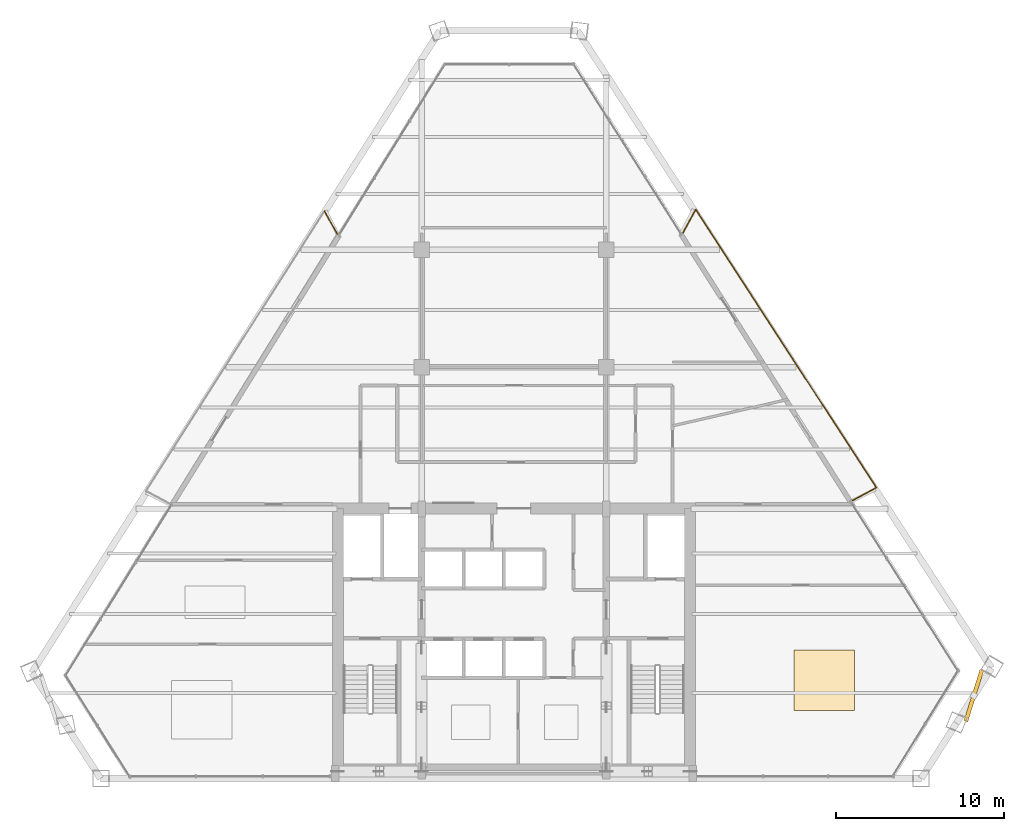
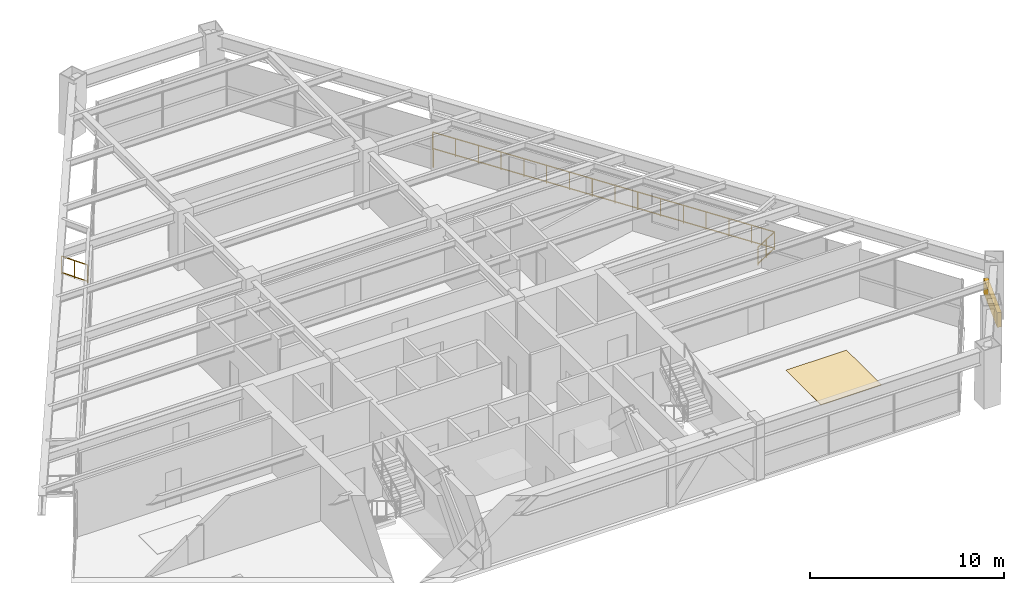
# One storey, part 15 of 15: 4 railings, 1 covering, 1 shading device.
"""IFC4 building model written with IfcOpenShell, lengths in metres."""

from ifc_helpers import new_model, si_unit, direction, frame, origin, origin_2d, place, context, subcontext, project, spatial, rectangle, extrude, source, transform, mapped, material, layer, layer_set, type_object, type_shapes, element, save


model = new_model("IFC4")

# Units and contexts
model_context = context("Model", 3, precision=1e-05, world=origin(), true_north=direction((0.0, 1.0)))
body_context = subcontext(model_context, "Body", "Model", "MODEL_VIEW")
ifc_project = project(units=[si_unit("LENGTHUNIT", "METRE"), si_unit("AREAUNIT", "SQUARE_METRE"), si_unit("VOLUMEUNIT", "CUBIC_METRE"), si_unit("PLANEANGLEUNIT", "RADIAN"), si_unit("MASSUNIT", "GRAM", prefix="KILO")], contexts=[model_context])

# Site, building, storey
site_placement = place(None, origin())
site = spatial("IfcSite", under=ifc_project, at=site_placement, CompositionType="ELEMENT")
building_placement = place(site_placement, origin())
building = spatial("IfcBuilding", under=site, at=building_placement, Name="Varnakhor Terracotta Tower", CompositionType="ELEMENT")
storey_placement = place(building_placement, frame((0.0, 0.0, 185.800048828125)))
storey = spatial("IfcBuildingStorey", under=building, at=storey_placement, Name="L47", CompositionType="ELEMENT", Elevation=185.800048828125)

# Railings
ifc_material_1 = material(Name="Stainless Steel & Laminated Glass Guardrail", Category="steel")
railing_type = type_object("IfcRailingType", Name="RLG-LOGGIA-GUARD-1150", PredefinedType="GUARDRAIL", material=ifc_material_1)
railing_1_placement = place(storey_placement, frame((10.06103515625, 32.496826171875, 0.0)))
element("IfcRailing", 1, at=railing_1_placement, inside=storey, type_object=railing_type, Name="L47 E Loggia Glass Guard 1", PredefinedType="GUARDRAIL", context=body_context, shape_type="SweptSolid", body=[
    extrude(rectangle(XDim=0.048095703125, YDim=0.048095703125, at=origin_2d()), frame((0.0, 0.0, 1.1259765625), z_axis=(0.48619534882, 0.873850148931, 0.0), x_axis=(-0.873850148931, 0.48619534882, 0.0)), (0.0, 0.0, 1.0), 1.57568359375),
    extrude(rectangle(XDim=0.048095703125, YDim=0.048095703125, at=origin_2d()), frame((0.0, 0.0, 0.10009765625), z_axis=(0.48619534882, 0.873850148931, 0.0), x_axis=(-0.873850148931, 0.48619534882, 0.0)), (0.0, 0.0, 1.0), 1.57568359375),
    extrude(rectangle(XDim=0.0419921875, YDim=0.0419921875, at=origin_2d()), origin(), (0.0, 0.0, 1.0), 1.101806640625),
    extrude(rectangle(XDim=0.0419921875, YDim=0.0419921875, at=origin_2d()), frame((0.383056640625, 0.6884765625, 0.0)), (0.0, 0.0, 1.0), 1.101806640625),
    extrude(rectangle(XDim=0.0419921875, YDim=0.0419921875, at=origin_2d()), frame((0.76611328125, 1.376953125, 0.0)), (0.0, 0.0, 1.0), 1.101806640625),
])
railing_2_placement = place(storey_placement, frame((10.8271484375, 33.873779296875, 0.0)))
element("IfcRailing", 2, at=railing_2_placement, inside=storey, type_object=railing_type, Name="L47 E Loggia Glass Guard 2", PredefinedType="GUARDRAIL", context=body_context, shape_type="SweptSolid", body=[
    extrude(rectangle(XDim=0.048095703125, YDim=0.048095703125, at=origin_2d()), frame((0.0, 0.0, 1.1259765625), z_axis=(0.544903549883, -0.838498730664, 0.0), x_axis=(0.838498730664, 0.544903549883, 0.0)), (0.0, 0.0, 1.0), 19.733642578125),
    extrude(rectangle(XDim=0.048095703125, YDim=0.048095703125, at=origin_2d()), frame((0.0, 0.0, 0.10009765625), z_axis=(0.544903549883, -0.838498730664, 0.0), x_axis=(0.838498730664, 0.544903549883, 0.0)), (0.0, 0.0, 1.0), 19.733642578125),
    extrude(rectangle(XDim=0.0419921875, YDim=0.0419921875, at=origin_2d()), origin(), (0.0, 0.0, 1.0), 1.101806640625),
    extrude(rectangle(XDim=0.0419921875, YDim=0.0419921875, at=origin_2d()), frame((0.716796875, -1.10302734375, 0.0)), (0.0, 0.0, 1.0), 1.101806640625),
    extrude(rectangle(XDim=0.0419921875, YDim=0.0419921875, at=origin_2d()), frame((1.433837890625, -2.206298828125, 0.0)), (0.0, 0.0, 1.0), 1.101806640625),
    extrude(rectangle(XDim=0.0419921875, YDim=0.0419921875, at=origin_2d()), frame((2.150634765625, -3.309326171875, 0.0)), (0.0, 0.0, 1.0), 1.101806640625),
    extrude(rectangle(XDim=0.0419921875, YDim=0.0419921875, at=origin_2d()), frame((2.867431640625, -4.412353515625, 0.0)), (0.0, 0.0, 1.0), 1.101806640625),
    extrude(rectangle(XDim=0.0419921875, YDim=0.0419921875, at=origin_2d()), frame((3.584228515625, -5.515625, 0.0)), (0.0, 0.0, 1.0), 1.101806640625),
    extrude(rectangle(XDim=0.0419921875, YDim=0.0419921875, at=origin_2d()), frame((4.30126953125, -6.61865234375, 0.0)), (0.0, 0.0, 1.0), 1.101806640625),
    extrude(rectangle(XDim=0.0419921875, YDim=0.0419921875, at=origin_2d()), frame((5.01806640625, -7.7216796875, 0.0)), (0.0, 0.0, 1.0), 1.101806640625),
    extrude(rectangle(XDim=0.0419921875, YDim=0.0419921875, at=origin_2d()), frame((5.73486328125, -8.824951171875, 0.0)), (0.0, 0.0, 1.0), 1.101806640625),
    extrude(rectangle(XDim=0.0419921875, YDim=0.0419921875, at=origin_2d()), frame((6.45166015625, -9.927978515625, 0.0)), (0.0, 0.0, 1.0), 1.101806640625),
    extrude(rectangle(XDim=0.0419921875, YDim=0.0419921875, at=origin_2d()), frame((7.168701171875, -11.031005859375, 0.0)), (0.0, 0.0, 1.0), 1.101806640625),
    extrude(rectangle(XDim=0.0419921875, YDim=0.0419921875, at=origin_2d()), frame((7.885498046875, -12.13427734375, 0.0)), (0.0, 0.0, 1.0), 1.101806640625),
    extrude(rectangle(XDim=0.0419921875, YDim=0.0419921875, at=origin_2d()), frame((8.602294921875, -13.2373046875, 0.0)), (0.0, 0.0, 1.0), 1.101806640625),
    extrude(rectangle(XDim=0.0419921875, YDim=0.0419921875, at=origin_2d()), frame((9.319091796875, -14.34033203125, 0.0)), (0.0, 0.0, 1.0), 1.101806640625),
    extrude(rectangle(XDim=0.0419921875, YDim=0.0419921875, at=origin_2d()), frame((10.0361328125, -15.443603515625, 0.0)), (0.0, 0.0, 1.0), 1.101806640625),
    extrude(rectangle(XDim=0.0419921875, YDim=0.0419921875, at=origin_2d()), frame((10.7529296875, -16.546630859375, 0.0)), (0.0, 0.0, 1.0), 1.101806640625),
])
railing_3_placement = place(storey_placement, frame((21.580078125, 17.3271484375, 0.0)))
element("IfcRailing", 3, at=railing_3_placement, inside=storey, type_object=railing_type, Name="L47 E Loggia Glass Guard 3", PredefinedType="GUARDRAIL", context=body_context, shape_type="SweptSolid", body=[
    extrude(rectangle(XDim=0.048095703125, YDim=0.048095703125, at=origin_2d()), frame((0.0, 0.0, 1.1259765625), z_axis=(-0.877358224255, -0.479835957731, 0.0), x_axis=(0.479835957731, -0.877358224255, 0.0)), (0.0, 0.0, 1.0), 1.616455078125),
    extrude(rectangle(XDim=0.048095703125, YDim=0.048095703125, at=origin_2d()), frame((0.0, 0.0, 0.10009765625), z_axis=(-0.877358224255, -0.479835957731, 0.0), x_axis=(0.479835957731, -0.877358224255, 0.0)), (0.0, 0.0, 1.0), 1.616455078125),
    extrude(rectangle(XDim=0.0419921875, YDim=0.0419921875, at=origin_2d()), origin(), (0.0, 0.0, 1.0), 1.101806640625),
    extrude(rectangle(XDim=0.0419921875, YDim=0.0419921875, at=origin_2d()), frame((-0.708984375, -0.3876953125, 0.0)), (0.0, 0.0, 1.0), 1.101806640625),
    extrude(rectangle(XDim=0.0419921875, YDim=0.0419921875, at=origin_2d()), frame((-1.418212890625, -0.775634765625, 0.0)), (0.0, 0.0, 1.0), 1.101806640625),
])
railing_4_placement = place(storey_placement, frame((-11.291015625, 33.7958984375, 0.0)))
element("IfcRailing", 4, at=railing_4_placement, inside=storey, type_object=railing_type, Name="L47 W Loggia Glass Guard 3", PredefinedType="GUARDRAIL", context=body_context, shape_type="SweptSolid", body=[
    extrude(rectangle(XDim=0.048095703125, YDim=0.048095703125, at=origin_2d()), frame((0.0, 0.0, 1.1259765625), z_axis=(0.4885372507, -0.872543038869, 0.0), x_axis=(0.872543038869, 0.4885372507, 0.0)), (0.0, 0.0, 1.0), 1.57421875),
    extrude(rectangle(XDim=0.048095703125, YDim=0.048095703125, at=origin_2d()), frame((0.0, 0.0, 0.10009765625), z_axis=(0.4885372507, -0.872543038869, 0.0), x_axis=(0.872543038869, 0.4885372507, 0.0)), (0.0, 0.0, 1.0), 1.57421875),
    extrude(rectangle(XDim=0.0419921875, YDim=0.0419921875, at=origin_2d()), origin(), (0.0, 0.0, 1.0), 1.101806640625),
    extrude(rectangle(XDim=0.0419921875, YDim=0.0419921875, at=origin_2d()), frame((0.384521484375, -0.686767578125, 0.0)), (0.0, 0.0, 1.0), 1.101806640625),
    extrude(rectangle(XDim=0.0419921875, YDim=0.0419921875, at=origin_2d()), frame((0.76904296875, -1.37353515625, 0.0)), (0.0, 0.0, 1.0), 1.101806640625),
])

# Shading device
ifc_material_2 = material(Name="Extruded Architectural Terracotta Screen", Category="masonry")
shading_device_type = type_object("IfcShadingDeviceType", Name="TERRACOTTA SOLAR SCREEN E", PredefinedType="USERDEFINED", material=ifc_material_2)
shared_shape_1 = source(origin(), body_context, "Body", "SweptSolid", [
    extrude(rectangle(XDim=3.199951171875, YDim=0.239990234375, at=origin_2d()), origin(), (0.0, 0.0, 1.0), 0.919921875),
])
type_shapes(shading_device_type, [shared_shape_1])
shading_device_placement = place(storey_placement, frame((27.392333984375, 4.93359375, 1.7099609375), z_axis=(0.0, 0.0, 1.0), x_axis=(0.2995903456, 0.95406793512, 0.0)))
element("IfcShadingDevice", 5, at=shading_device_placement, inside=storey, type_object=shading_device_type, Name="L47 E Terracotta Solar Screen", ObjectType="SCREEN", PredefinedType="USERDEFINED", context=body_context, shape_type="MappedRepresentation", body=[
    mapped(shared_shape_1, transform((0.0, 0.0, 0.0), scale=1.0)),
])

# Covering
ifc_material_3 = material(Name="Honed Riyadh Limestone Flooring", Category="masonry")
ifc_layer = layer(ifc_material_3, 0.030029296875, Name="Honed Riyadh Limestone Flooring")
ifc_layer_set = layer_set([ifc_layer], Name="Honed Riyadh Limestone Flooring")
covering_type = type_object("IfcCoveringType", Name="COV-FLOOR-LIMESTONE", PredefinedType="FLOORING", material=ifc_layer_set)
shared_shape_2 = source(origin(), body_context, "Body", "SweptSolid", [
    extrude(rectangle(XDim=3.60009765625, YDim=3.60009765625, at=origin_2d()), origin(), (0.0, 0.0, 1.0), 0.02001953125),
])
covering_placement = place(storey_placement, frame((18.48095703125, 5.85205078125, 0.0), z_axis=(0.0, 0.0, 1.0), x_axis=(1.0, 0.0, 0.0)))
element("IfcCovering", 6, at=covering_placement, inside=storey, type_object=covering_type, Name="L47 Honed Stone Flooring 4", PredefinedType="FLOORING", context=body_context, shape_type="MappedRepresentation", body=[
    mapped(shared_shape_2, transform((0.0, 0.0, 0.0), scale=1.0)),
])

save(model, "model.ifc")
